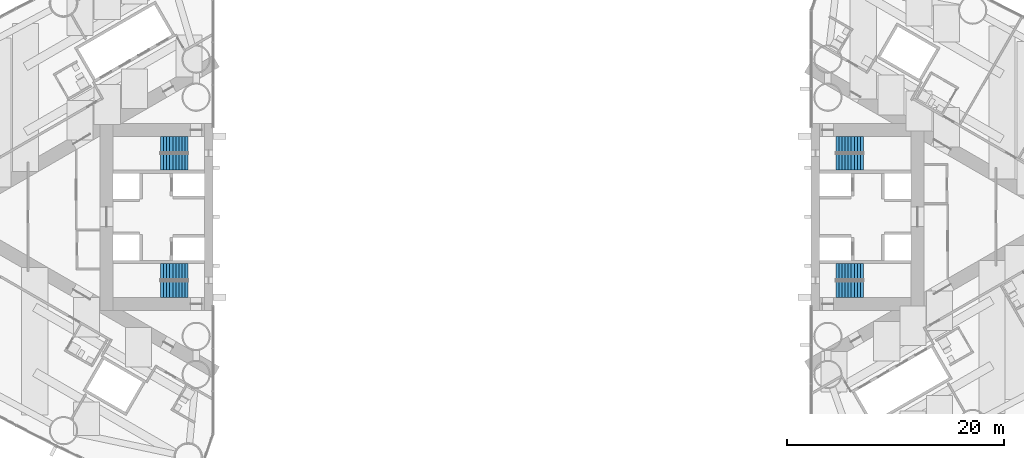
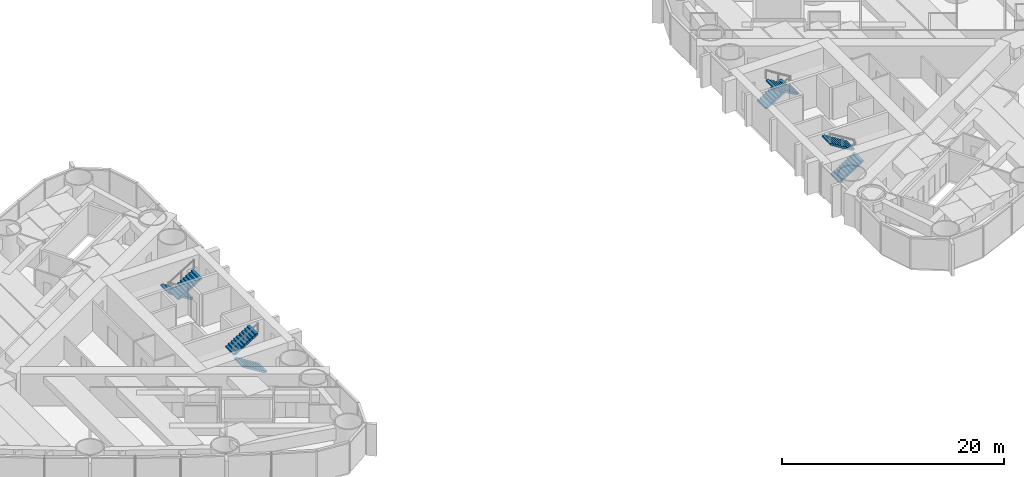
# One storey, part 16 of 18: 8 stair flights, 4 elements without a shape of their own.
"""IFC4 building model written with IfcOpenShell, lengths in metres."""

from ifc_helpers import new_model, si_unit, direction, frame, origin, place, context, subcontext, project, spatial, polyline, outline, extrude, material, type_object, element, aggregate, save


model = new_model("IFC4")

# Units and contexts
model_context = context("Model", 3, precision=1e-05, world=origin(), true_north=direction((0.0, 1.0)))
body_context = subcontext(model_context, "Body", "Model", "MODEL_VIEW")
ifc_project = project(units=[si_unit("LENGTHUNIT", "METRE"), si_unit("AREAUNIT", "SQUARE_METRE"), si_unit("VOLUMEUNIT", "CUBIC_METRE"), si_unit("PLANEANGLEUNIT", "RADIAN"), si_unit("MASSUNIT", "GRAM", prefix="KILO")], contexts=[model_context])

# Site, building, storey
site_placement = place(None, origin())
site = spatial("IfcSite", under=ifc_project, at=site_placement, CompositionType="ELEMENT")
building_placement = place(site_placement, origin())
building = spatial("IfcBuilding", under=site, at=building_placement, Name="Lancet Gate Hotel", CompositionType="ELEMENT")
storey_placement = place(building_placement, frame((0.0, 0.0, 139.60009765625)))
storey = spatial("IfcBuildingStorey", under=building, at=storey_placement, Name="L37", CompositionType="ELEMENT", Elevation=139.60009765625)

# Stair, stair flights
ifc_material_1 = material(Name="Exit stair 20 risers 1500")
stair_type = type_object("IfcStairType", Name="Exit stair 20 risers 1500", PredefinedType="HALF_TURN_STAIR", material=ifc_material_1)
stair_1_placement = place(storey_placement, origin())
stair_1 = element("IfcStair", 1, at=stair_1_placement, inside=storey, type_object=stair_type, Name="T1 stair 1 L37", PredefinedType="HALF_TURN_STAIR")
ifc_material_2 = material(Name="Stair flight 10 risers 175 rise 1500")
stair_flight_type = type_object("IfcStairFlightType", Name="Stair flight 10 risers 175 rise 1500", PredefinedType="STRAIGHT", material=ifc_material_2)
stair_flight_1_placement = place(storey_placement, frame((-29.800048828125, 6.64990234375, 0.0), z_axis=(0.0, 0.0, 1.0), x_axis=(-1.0, 0.0, 0.0)))
stair_flight_1 = element("IfcStairFlight", 2, at=stair_flight_1_placement, type_object=stair_flight_type, Name="ST1 flight 1", NumberOfRisers=10, NumberOfTreads=9, PredefinedType="STRAIGHT", RiserHeight=0.175, TreadLength=0.28, context=body_context, shape_type="SweptSolid", body=[
    extrude(outline(polyline([(0.0, 0.0), (0.0, 0.175048828125), (0.280029296875, 0.175048828125), (0.280029296875, 0.35009765625), (0.56005859375, 0.35009765625), (0.56005859375, 0.52490234375), (0.840087890625, 0.52490234375), (0.840087890625, 0.699951171875), (1.1201171875, 0.699951171875), (1.1201171875, 0.875), (1.39990234375, 0.875), (1.39990234375, 1.050048828125), (1.679931640625, 1.050048828125), (1.679931640625, 1.22509765625), (1.9599609375, 1.22509765625), (1.9599609375, 1.39990234375), (2.239990234375, 1.39990234375), (2.239990234375, 1.574951171875), (2.52001953125, 1.574951171875), (2.52001953125, 1.75), (2.52001953125, 1.398193359375), (0.28271484375, 0.0), (0.0, 0.0)])), frame((0.0, 0.75, 0.0), z_axis=(0.0, -1.0, 0.0), x_axis=(1.0, 0.0, 0.0)), (0.0, 0.0, 1.0), 1.5),
])
stair_flight_2_placement = place(storey_placement, frame((-32.320068359375, 5.050048828125, 1.75), z_axis=(0.0, 0.0, 1.0), x_axis=(1.0, 0.0, 0.0)))
stair_flight_2 = element("IfcStairFlight", 3, at=stair_flight_2_placement, type_object=stair_flight_type, Name="ST1 flight 2", NumberOfRisers=10, NumberOfTreads=9, PredefinedType="STRAIGHT", RiserHeight=0.175, TreadLength=0.28, context=body_context, shape_type="SweptSolid", body=[
    extrude(outline(polyline([(0.0, 0.0), (0.0, 0.175048828125), (0.280029296875, 0.175048828125), (0.280029296875, 0.35009765625), (0.56005859375, 0.35009765625), (0.56005859375, 0.52490234375), (0.840087890625, 0.52490234375), (0.840087890625, 0.699951171875), (1.1201171875, 0.699951171875), (1.1201171875, 0.875), (1.39990234375, 0.875), (1.39990234375, 1.050048828125), (1.679931640625, 1.050048828125), (1.679931640625, 1.22509765625), (1.9599609375, 1.22509765625), (1.9599609375, 1.39990234375), (2.239990234375, 1.39990234375), (2.239990234375, 1.574951171875), (2.52001953125, 1.574951171875), (2.52001953125, 1.75), (2.52001953125, 1.398193359375), (0.28271484375, 0.0), (0.0, 0.0)])), frame((0.0, 0.75, 0.0), z_axis=(0.0, -1.0, 0.0), x_axis=(1.0, 0.0, 0.0)), (0.0, 0.0, 1.0), 1.5),
])
aggregate(stair_1, [stair_flight_1, stair_flight_2])

stair_2_placement = place(storey_placement, origin())
stair_2 = element("IfcStair", 4, at=stair_2_placement, inside=storey, type_object=stair_type, Name="T1 stair 2 L37", PredefinedType="HALF_TURN_STAIR")
stair_flight_3_placement = place(storey_placement, frame((-29.800048828125, -6.64990234375, 0.0), z_axis=(0.0, 0.0, 1.0), x_axis=(-1.0, 0.0, 0.0)))
stair_flight_3 = element("IfcStairFlight", 5, at=stair_flight_3_placement, type_object=stair_flight_type, Name="ST2 flight 1", NumberOfRisers=10, NumberOfTreads=9, PredefinedType="STRAIGHT", RiserHeight=0.175, TreadLength=0.28, context=body_context, shape_type="SweptSolid", body=[
    extrude(outline(polyline([(0.0, 0.0), (0.0, 0.175048828125), (0.280029296875, 0.175048828125), (0.280029296875, 0.35009765625), (0.56005859375, 0.35009765625), (0.56005859375, 0.52490234375), (0.840087890625, 0.52490234375), (0.840087890625, 0.699951171875), (1.1201171875, 0.699951171875), (1.1201171875, 0.875), (1.39990234375, 0.875), (1.39990234375, 1.050048828125), (1.679931640625, 1.050048828125), (1.679931640625, 1.22509765625), (1.9599609375, 1.22509765625), (1.9599609375, 1.39990234375), (2.239990234375, 1.39990234375), (2.239990234375, 1.574951171875), (2.52001953125, 1.574951171875), (2.52001953125, 1.75), (2.52001953125, 1.398193359375), (0.28271484375, 0.0), (0.0, 0.0)])), frame((0.0, 0.75, 0.0), z_axis=(0.0, -1.0, 0.0), x_axis=(1.0, 0.0, 0.0)), (0.0, 0.0, 1.0), 1.5),
])
stair_flight_4_placement = place(storey_placement, frame((-32.320068359375, -5.050048828125, 1.75), z_axis=(0.0, 0.0, 1.0), x_axis=(1.0, 0.0, 0.0)))
stair_flight_4 = element("IfcStairFlight", 6, at=stair_flight_4_placement, type_object=stair_flight_type, Name="ST2 flight 2", NumberOfRisers=10, NumberOfTreads=9, PredefinedType="STRAIGHT", RiserHeight=0.175, TreadLength=0.28, context=body_context, shape_type="SweptSolid", body=[
    extrude(outline(polyline([(0.0, 0.0), (0.0, 0.175048828125), (0.280029296875, 0.175048828125), (0.280029296875, 0.35009765625), (0.56005859375, 0.35009765625), (0.56005859375, 0.52490234375), (0.840087890625, 0.52490234375), (0.840087890625, 0.699951171875), (1.1201171875, 0.699951171875), (1.1201171875, 0.875), (1.39990234375, 0.875), (1.39990234375, 1.050048828125), (1.679931640625, 1.050048828125), (1.679931640625, 1.22509765625), (1.9599609375, 1.22509765625), (1.9599609375, 1.39990234375), (2.239990234375, 1.39990234375), (2.239990234375, 1.574951171875), (2.52001953125, 1.574951171875), (2.52001953125, 1.75), (2.52001953125, 1.398193359375), (0.28271484375, 0.0), (0.0, 0.0)])), frame((0.0, 0.75, 0.0), z_axis=(0.0, -1.0, 0.0), x_axis=(1.0, 0.0, 0.0)), (0.0, 0.0, 1.0), 1.5),
])
aggregate(stair_2, [stair_flight_3, stair_flight_4])

stair_3_placement = place(storey_placement, origin())
stair_3 = element("IfcStair", 7, at=stair_3_placement, inside=storey, type_object=stair_type, Name="T2 stair 1 L37", PredefinedType="HALF_TURN_STAIR")
stair_flight_5_placement = place(storey_placement, frame((29.800048828125, -6.64990234375, 0.0), z_axis=(0.0, 0.0, 1.0), x_axis=(1.0, 0.0, 0.0)))
stair_flight_5 = element("IfcStairFlight", 8, at=stair_flight_5_placement, type_object=stair_flight_type, Name="ST3 flight 1", NumberOfRisers=10, NumberOfTreads=9, PredefinedType="STRAIGHT", RiserHeight=0.175, TreadLength=0.28, context=body_context, shape_type="SweptSolid", body=[
    extrude(outline(polyline([(0.0, 0.0), (0.0, 0.175048828125), (0.280029296875, 0.175048828125), (0.280029296875, 0.35009765625), (0.56005859375, 0.35009765625), (0.56005859375, 0.52490234375), (0.840087890625, 0.52490234375), (0.840087890625, 0.699951171875), (1.1201171875, 0.699951171875), (1.1201171875, 0.875), (1.39990234375, 0.875), (1.39990234375, 1.050048828125), (1.679931640625, 1.050048828125), (1.679931640625, 1.22509765625), (1.9599609375, 1.22509765625), (1.9599609375, 1.39990234375), (2.239990234375, 1.39990234375), (2.239990234375, 1.574951171875), (2.52001953125, 1.574951171875), (2.52001953125, 1.75), (2.52001953125, 1.398193359375), (0.28271484375, 0.0), (0.0, 0.0)])), frame((0.0, 0.75, 0.0), z_axis=(0.0, -1.0, 0.0), x_axis=(1.0, 0.0, 0.0)), (0.0, 0.0, 1.0), 1.5),
])
stair_flight_6_placement = place(storey_placement, frame((32.320068359375, -5.050048828125, 1.75), z_axis=(0.0, 0.0, 1.0), x_axis=(-1.0, 0.0, 0.0)))
stair_flight_6 = element("IfcStairFlight", 9, at=stair_flight_6_placement, type_object=stair_flight_type, Name="ST3 flight 2", NumberOfRisers=10, NumberOfTreads=9, PredefinedType="STRAIGHT", RiserHeight=0.175, TreadLength=0.28, context=body_context, shape_type="SweptSolid", body=[
    extrude(outline(polyline([(0.0, 0.0), (0.0, 0.175048828125), (0.280029296875, 0.175048828125), (0.280029296875, 0.35009765625), (0.56005859375, 0.35009765625), (0.56005859375, 0.52490234375), (0.840087890625, 0.52490234375), (0.840087890625, 0.699951171875), (1.1201171875, 0.699951171875), (1.1201171875, 0.875), (1.39990234375, 0.875), (1.39990234375, 1.050048828125), (1.679931640625, 1.050048828125), (1.679931640625, 1.22509765625), (1.9599609375, 1.22509765625), (1.9599609375, 1.39990234375), (2.239990234375, 1.39990234375), (2.239990234375, 1.574951171875), (2.52001953125, 1.574951171875), (2.52001953125, 1.75), (2.52001953125, 1.398193359375), (0.28271484375, 0.0), (0.0, 0.0)])), frame((0.0, 0.75, 0.0), z_axis=(0.0, -1.0, 0.0), x_axis=(1.0, 0.0, 0.0)), (0.0, 0.0, 1.0), 1.5),
])
aggregate(stair_3, [stair_flight_5, stair_flight_6])

stair_4_placement = place(storey_placement, origin())
stair_4 = element("IfcStair", 10, at=stair_4_placement, inside=storey, type_object=stair_type, Name="T2 stair 2 L37", PredefinedType="HALF_TURN_STAIR")
stair_flight_7_placement = place(storey_placement, frame((29.800048828125, 6.64990234375, 0.0), z_axis=(0.0, 0.0, 1.0), x_axis=(1.0, 0.0, 0.0)))
stair_flight_7 = element("IfcStairFlight", 11, at=stair_flight_7_placement, type_object=stair_flight_type, Name="ST4 flight 1", NumberOfRisers=10, NumberOfTreads=9, PredefinedType="STRAIGHT", RiserHeight=0.175, TreadLength=0.28, context=body_context, shape_type="SweptSolid", body=[
    extrude(outline(polyline([(0.0, 0.0), (0.0, 0.175048828125), (0.280029296875, 0.175048828125), (0.280029296875, 0.35009765625), (0.56005859375, 0.35009765625), (0.56005859375, 0.52490234375), (0.840087890625, 0.52490234375), (0.840087890625, 0.699951171875), (1.1201171875, 0.699951171875), (1.1201171875, 0.875), (1.39990234375, 0.875), (1.39990234375, 1.050048828125), (1.679931640625, 1.050048828125), (1.679931640625, 1.22509765625), (1.9599609375, 1.22509765625), (1.9599609375, 1.39990234375), (2.239990234375, 1.39990234375), (2.239990234375, 1.574951171875), (2.52001953125, 1.574951171875), (2.52001953125, 1.75), (2.52001953125, 1.398193359375), (0.28271484375, 0.0), (0.0, 0.0)])), frame((0.0, 0.75, 0.0), z_axis=(0.0, -1.0, 0.0), x_axis=(1.0, 0.0, 0.0)), (0.0, 0.0, 1.0), 1.5),
])
stair_flight_8_placement = place(storey_placement, frame((32.320068359375, 5.050048828125, 1.75), z_axis=(0.0, 0.0, 1.0), x_axis=(-1.0, 0.0, 0.0)))
stair_flight_8 = element("IfcStairFlight", 12, at=stair_flight_8_placement, type_object=stair_flight_type, Name="ST4 flight 2", NumberOfRisers=10, NumberOfTreads=9, PredefinedType="STRAIGHT", RiserHeight=0.175, TreadLength=0.28, context=body_context, shape_type="SweptSolid", body=[
    extrude(outline(polyline([(0.0, 0.0), (0.0, 0.175048828125), (0.280029296875, 0.175048828125), (0.280029296875, 0.35009765625), (0.56005859375, 0.35009765625), (0.56005859375, 0.52490234375), (0.840087890625, 0.52490234375), (0.840087890625, 0.699951171875), (1.1201171875, 0.699951171875), (1.1201171875, 0.875), (1.39990234375, 0.875), (1.39990234375, 1.050048828125), (1.679931640625, 1.050048828125), (1.679931640625, 1.22509765625), (1.9599609375, 1.22509765625), (1.9599609375, 1.39990234375), (2.239990234375, 1.39990234375), (2.239990234375, 1.574951171875), (2.52001953125, 1.574951171875), (2.52001953125, 1.75), (2.52001953125, 1.398193359375), (0.28271484375, 0.0), (0.0, 0.0)])), frame((0.0, 0.75, 0.0), z_axis=(0.0, -1.0, 0.0), x_axis=(1.0, 0.0, 0.0)), (0.0, 0.0, 1.0), 1.5),
])
aggregate(stair_4, [stair_flight_7, stair_flight_8])

save(model, "model.ifc")
